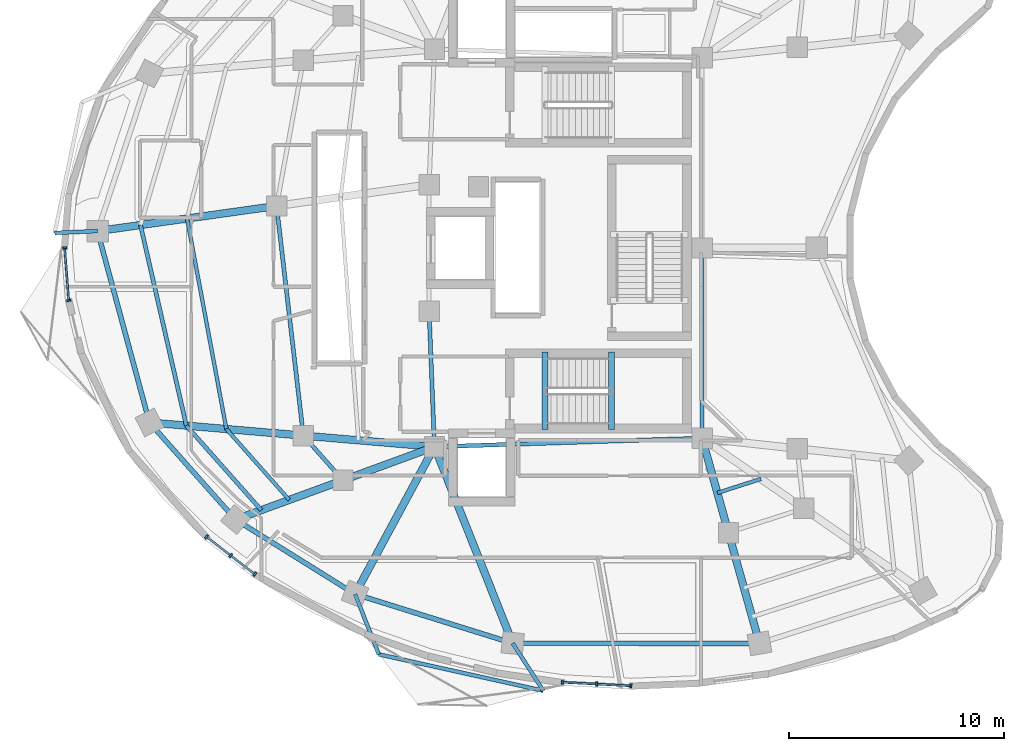
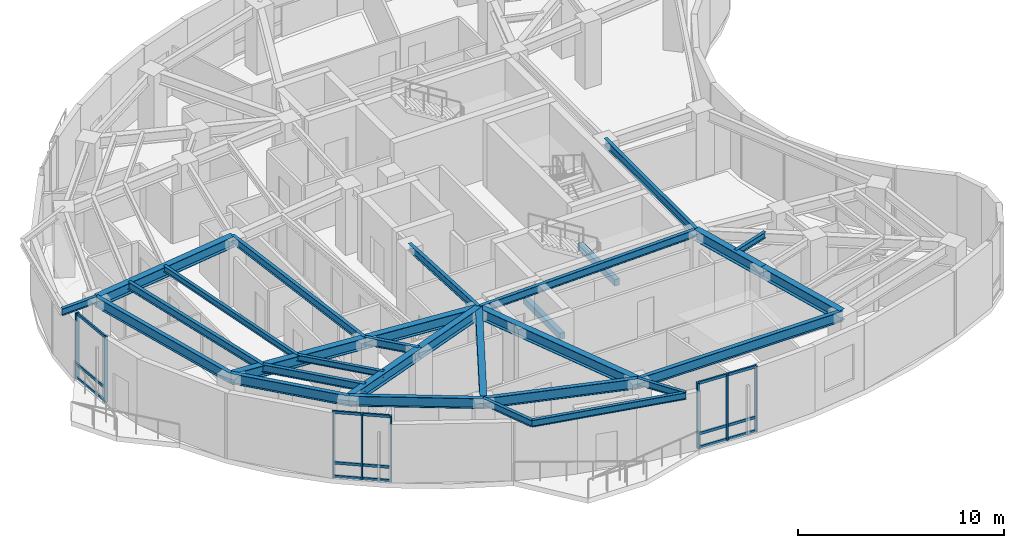
# One storey, part 2 of 13: 30 beams, 23 members, 3 elements without a shape of their own.
"""IFC4 building model written with IfcOpenShell, lengths in metres."""

from ifc_helpers import new_model, si_unit, direction, frame, origin, origin_2d, place, context, subcontext, project, spatial, rectangle, i_section, extrude, material, layer, layer_set, material_profile, profile_set, type_object, element, aggregate, save


model = new_model("IFC4")

# Units and contexts
model_context = context("Model", 3, precision=1e-05, world=origin(), true_north=direction((0.0, 1.0)))
body_context = subcontext(model_context, "Body", "Model", "MODEL_VIEW")
ifc_project = project(units=[si_unit("LENGTHUNIT", "METRE"), si_unit("AREAUNIT", "SQUARE_METRE"), si_unit("VOLUMEUNIT", "CUBIC_METRE"), si_unit("PLANEANGLEUNIT", "RADIAN"), si_unit("MASSUNIT", "GRAM", prefix="KILO")], contexts=[model_context])

# Site, building, storey
site_placement = place(None, origin())
site = spatial("IfcSite", under=ifc_project, at=site_placement, CompositionType="ELEMENT")
building_placement = place(site_placement, origin())
building = spatial("IfcBuilding", under=site, at=building_placement, Name="Korentha Bioscience Tower", CompositionType="ELEMENT")
storey_placement = place(building_placement, frame((0.0, 0.0, 158.39990234375)))
storey = spatial("IfcBuildingStorey", under=building, at=storey_placement, Name="L36", CompositionType="ELEMENT", Elevation=158.39990234375)

# Beams
ifc_material_1 = material(Name="Concrete C50", Category="concrete")
ifc_material_profile_1 = material_profile(ifc_material_1, rectangle(XDim=0.280029296875, YDim=0.3798828125, at=origin_2d()), Name="Concrete C50")
ifc_profile_set_1 = profile_set([ifc_material_profile_1], Name="Concrete C50 (ST-HB380)")
beam_type_1 = type_object("IfcBeamType", Name="Concrete Stair Header Beam RC 280x380", PredefinedType="BEAM", material=ifc_profile_set_1)
for number, where, z_axis, x_axis, name in (
    (1, (30.25, 18.550048828125, -0.18994140625), (0.0, 1.0, 0.0), (-1.0, 0.0, 0.0), "L36 ST-2 Concrete Stair Header Beam"),
    (2, (33.330078125, 18.550048828125, 1.91015625), (0.0, 1.0, 0.0), (-1.0, 0.0, 0.0), "L36 ST-2 Half-Landing Header Beam 1"),
):
    element("IfcBeam", number, at=place(storey_placement, frame(where, z_axis=z_axis, x_axis=x_axis)), inside=storey, type_object=beam_type_1, Name=name, PredefinedType="BEAM", context=body_context, shape_type="SweptSolid", body=[
        extrude(rectangle(XDim=0.280029296875, YDim=0.3798828125, at=origin_2d()), origin(), (0.0, 0.0, 1.0), 3.599853515625),
    ])
ifc_material_2 = material(Name="Steel S355", Category="steel")
ifc_material_profile_2 = material_profile(ifc_material_2, i_section(OverallWidth=0.18994140625, OverallDepth=0.45703125, WebThickness=0.009033203125, FlangeThickness=0.014404296875, at=origin_2d()), Name="Steel S355")
ifc_profile_set_2 = profile_set([ifc_material_profile_2], Name="Steel S355 (MB-460)")
beam_type_2 = type_object("IfcBeamType", Name="Mid-Ring Tie Girder W460x74", PredefinedType="BEAM", material=ifc_profile_set_2)
beam_1_placement = place(storey_placement, frame((17.75341796875, 28.95458984375, 3.671630859375), z_axis=(0.115840395246, -0.993267840428, 0.0), x_axis=(0.993267840428, 0.115840395246, 0.0)))
element("IfcBeam", 3, at=beam_1_placement, inside=storey, type_object=beam_type_2, Name="L36 Mid-Ring Tie Girder 07", PredefinedType="BEAM", context=body_context, shape_type="SweptSolid", body=[
    extrude(i_section(OverallWidth=0.18994140625, OverallDepth=0.45703125, WebThickness=0.009033203125, FlangeThickness=0.014404296875, at=origin_2d()), origin(), (0.0, 0.0, 1.0), 10.757080078125),
])
beam_2_placement = place(storey_placement, frame((18.99951171875, 18.27001953125, 3.671630859375), z_axis=(0.663512238321, -0.748165429299, 0.0), x_axis=(0.748165429299, 0.663512238321, 0.0)))
element("IfcBeam", 4, at=beam_2_placement, inside=storey, type_object=beam_type_2, Name="L36 Mid-Ring Tie Girder 08", PredefinedType="BEAM", context=body_context, shape_type="SweptSolid", body=[
    extrude(i_section(OverallWidth=0.18994140625, OverallDepth=0.45703125, WebThickness=0.009033203125, FlangeThickness=0.014404296875, at=origin_2d()), origin(), (0.0, 0.0, 1.0), 2.77734375),
])
beam_3_placement = place(storey_placement, frame((24.85009765625, 24.050048828125, 3.671630859375), z_axis=(0.039651025576, -0.999213588864, 0.0), x_axis=(0.999213588864, 0.039651025576, 0.0)))
element("IfcBeam", 5, at=beam_3_placement, inside=storey, type_object=beam_type_2, Name="L36 Core Ring Tie Girder 04", PredefinedType="BEAM", context=body_context, shape_type="SweptSolid", body=[
    extrude(i_section(OverallWidth=0.18994140625, OverallDepth=0.45703125, WebThickness=0.009033203125, FlangeThickness=0.014404296875, at=origin_2d()), origin(), (0.0, 0.0, 1.0), 6.304931640625),
])
beam_4_placement = place(storey_placement, frame((25.10009765625, 17.75, 3.671630859375), z_axis=(0.999484526071, 0.032104238723, 0.0), x_axis=(-0.032104238723, 0.999484526071, 0.0)))
element("IfcBeam", 6, at=beam_4_placement, inside=storey, type_object=beam_type_2, Name="L36 Core Ring Tie Girder 05", PredefinedType="BEAM", context=body_context, shape_type="SweptSolid", body=[
    extrude(i_section(OverallWidth=0.18994140625, OverallDepth=0.45703125, WebThickness=0.009033203125, FlangeThickness=0.014404296875, at=origin_2d()), origin(), (0.0, 0.0, 1.0), 12.456298828125),
])
beam_5_placement = place(storey_placement, frame((37.550048828125, 18.14990234375, 3.671630859375), z_axis=(0.0, 1.0, 0.0), x_axis=(-1.0, 0.0, 0.0)))
element("IfcBeam", 7, at=beam_5_placement, inside=storey, type_object=beam_type_2, Name="L36 Core Ring Tie Girder 06", PredefinedType="BEAM", context=body_context, shape_type="SweptSolid", body=[
    extrude(i_section(OverallWidth=0.18994140625, OverallDepth=0.45703125, WebThickness=0.009033203125, FlangeThickness=0.014404296875, at=origin_2d()), origin(), (0.0, 0.0, 1.0), 8.85009765625),
])

# Curtain wall, members
ifc_material_3 = material(Name="Thermally Broken Aluminium Frame", Category="aluminium")
ifc_layer = layer(ifc_material_3, 0.219970703125, Name="Thermally Broken Aluminium Frame")
ifc_layer_set = layer_set([ifc_layer], Name="Thermally Broken Aluminium Frame (CW-T1)")
curtain_wall_type = type_object("IfcCurtainWallType", Name="Standard Bioscience Lab Unitised Curtain Wall CW-T1", PredefinedType="USERDEFINED", material=ifc_layer_set)
curtain_wall_1_placement = place(storey_placement, origin())
curtain_wall_1 = element("IfcCurtainWall", 8, at=curtain_wall_1_placement, inside=storey, type_object=curtain_wall_type, Name="L36 Curtain Wall 19", ObjectType="UNITISED", PredefinedType="USERDEFINED")
ifc_material_4 = material(Name="Anodised Aluminium 6063-T6", Category="aluminium")
ifc_material_profile_3 = material_profile(ifc_material_4, rectangle(XDim=0.090087890625, YDim=0.199951171875, at=origin_2d()), Name="Anodised Aluminium 6063-T6")
ifc_profile_set_3 = profile_set([ifc_material_profile_3], Name="Anodised Aluminium 6063-T6 (CW-MUL)")
member_type_1 = type_object("IfcMemberType", Name="Mullion RECT 90x200", PredefinedType="MULLION", material=ifc_profile_set_3)
member_1_placement = place(storey_placement, frame((7.89599609375, 27.007568359375, 0.0), z_axis=(0.0, 0.0, 1.0), x_axis=(0.078030772566, -0.996950950916, 0.0)))
member_1 = element("IfcMember", 9, at=member_1_placement, type_object=member_type_1, Name="CW-L36-19 Mullion 1", PredefinedType="MULLION", context=body_context, shape_type="SweptSolid", body=[
    extrude(rectangle(XDim=0.090087890625, YDim=0.199951171875, at=origin_2d()), origin(), (0.0, 0.0, 1.0), 3.900146484375),
])
member_2_placement = place(storey_placement, frame((8.087890625, 24.5546875, 0.0), z_axis=(0.0, 0.0, 1.0), x_axis=(0.078030772566, -0.996950950916, 0.0)))
member_2 = element("IfcMember", 10, at=member_2_placement, type_object=member_type_1, Name="CW-L36-19 Mullion 2", PredefinedType="MULLION", context=body_context, shape_type="SweptSolid", body=[
    extrude(rectangle(XDim=0.090087890625, YDim=0.199951171875, at=origin_2d()), origin(), (0.0, 0.0, 1.0), 3.900146484375),
])

curtain_wall_2_placement = place(storey_placement, origin())
curtain_wall_2 = element("IfcCurtainWall", 11, at=curtain_wall_2_placement, inside=storey, type_object=curtain_wall_type, Name="L36 Curtain Wall 25", ObjectType="UNITISED", PredefinedType="USERDEFINED")
member_3_placement = place(storey_placement, frame((14.492431640625, 13.563232421875, 0.0), z_axis=(0.0, 0.0, 1.0), x_axis=(0.790546796919, -0.612401634454, 0.0)))
member_3 = element("IfcMember", 12, at=member_3_placement, type_object=member_type_1, Name="CW-L36-25 Mullion 1", PredefinedType="MULLION", context=body_context, shape_type="SweptSolid", body=[
    extrude(rectangle(XDim=0.090087890625, YDim=0.199951171875, at=origin_2d()), origin(), (0.0, 0.0, 1.0), 3.900146484375),
])
member_4_placement = place(storey_placement, frame((15.618896484375, 12.690673828125, 0.0), z_axis=(0.0, 0.0, 1.0), x_axis=(0.790546796919, -0.612401634454, 0.0)))
member_4 = element("IfcMember", 13, at=member_4_placement, type_object=member_type_1, Name="CW-L36-25 Mullion 2", PredefinedType="MULLION", context=body_context, shape_type="SweptSolid", body=[
    extrude(rectangle(XDim=0.090087890625, YDim=0.199951171875, at=origin_2d()), origin(), (0.0, 0.0, 1.0), 3.900146484375),
])
member_5_placement = place(storey_placement, frame((16.745361328125, 11.818115234375, 0.0), z_axis=(0.0, 0.0, 1.0), x_axis=(0.790546796919, -0.612401634454, 0.0)))
member_5 = element("IfcMember", 14, at=member_5_placement, type_object=member_type_1, Name="CW-L36-25 Mullion 3", PredefinedType="MULLION", context=body_context, shape_type="SweptSolid", body=[
    extrude(rectangle(XDim=0.090087890625, YDim=0.199951171875, at=origin_2d()), origin(), (0.0, 0.0, 1.0), 3.900146484375),
])

curtain_wall_3_placement = place(storey_placement, origin())
curtain_wall_3 = element("IfcCurtainWall", 15, at=curtain_wall_3_placement, inside=storey, type_object=curtain_wall_type, Name="L36 Curtain Wall 31", ObjectType="UNITISED", PredefinedType="USERDEFINED")
member_6_placement = place(storey_placement, frame((31.0517578125, 6.79541015625, 0.0), z_axis=(0.0, 0.0, 1.0), x_axis=(0.998637677307, -0.052180355139, 0.0)))
member_6 = element("IfcMember", 16, at=member_6_placement, type_object=member_type_1, Name="CW-L36-31 Mullion 1", PredefinedType="MULLION", context=body_context, shape_type="SweptSolid", body=[
    extrude(rectangle(XDim=0.090087890625, YDim=0.199951171875, at=origin_2d()), origin(), (0.0, 0.0, 1.0), 3.900146484375),
])
member_7_placement = place(storey_placement, frame((32.64794921875, 6.7119140625, 0.0), z_axis=(0.0, 0.0, 1.0), x_axis=(0.998637677307, -0.052180355139, 0.0)))
member_7 = element("IfcMember", 17, at=member_7_placement, type_object=member_type_1, Name="CW-L36-31 Mullion 2", PredefinedType="MULLION", context=body_context, shape_type="SweptSolid", body=[
    extrude(rectangle(XDim=0.090087890625, YDim=0.199951171875, at=origin_2d()), origin(), (0.0, 0.0, 1.0), 3.900146484375),
])
member_8_placement = place(storey_placement, frame((34.244140625, 6.628662109375, 0.0), z_axis=(0.0, 0.0, 1.0), x_axis=(0.998637677307, -0.052180355139, 0.0)))
member_8 = element("IfcMember", 18, at=member_8_placement, type_object=member_type_1, Name="CW-L36-31 Mullion 3", PredefinedType="MULLION", context=body_context, shape_type="SweptSolid", body=[
    extrude(rectangle(XDim=0.090087890625, YDim=0.199951171875, at=origin_2d()), origin(), (0.0, 0.0, 1.0), 3.900146484375),
])

# Beams
ifc_material_profile_4 = material_profile(ifc_material_2, i_section(OverallWidth=0.22802734375, OverallDepth=0.60791015625, WebThickness=0.01123046875, FlangeThickness=0.017333984375, at=origin_2d()), Name="Steel S355")
ifc_profile_set_4 = profile_set([ifc_material_profile_4], Name="Steel S355 (SB-610)")
beam_type_3 = type_object("IfcBeamType", Name="Perimeter Ring Spandrel Girder W610x113", PredefinedType="SPANDREL", material=ifc_profile_set_4)
beam_6_placement = place(storey_placement, frame((9.422607421875, 27.785888671875, 3.59619140625), z_axis=(0.261762629829, -0.965132284003, 0.0), x_axis=(0.965132284003, 0.261762629829, 0.0)))
element("IfcBeam", 19, at=beam_6_placement, inside=storey, type_object=beam_type_3, Name="L36 Perimeter Spandrel Girder 07", PredefinedType="SPANDREL", context=body_context, shape_type="SweptSolid", body=[
    extrude(i_section(OverallWidth=0.22802734375, OverallDepth=0.60791015625, WebThickness=0.01123046875, FlangeThickness=0.017333984375, at=origin_2d()), origin(), (0.0, 0.0, 1.0), 9.22705078125),
])
beam_7_placement = place(storey_placement, frame((11.837890625, 18.880615234375, 3.59619140625), z_axis=(0.663502544942, -0.748174025782, 0.0), x_axis=(0.748174025782, 0.663502544942, 0.0)))
element("IfcBeam", 20, at=beam_7_placement, inside=storey, type_object=beam_type_3, Name="L36 Perimeter Spandrel Girder 08", PredefinedType="SPANDREL", context=body_context, shape_type="SweptSolid", body=[
    extrude(i_section(OverallWidth=0.22802734375, OverallDepth=0.60791015625, WebThickness=0.01123046875, FlangeThickness=0.017333984375, at=origin_2d()), origin(), (0.0, 0.0, 1.0), 6.037841796875),
])
beam_8_placement = place(storey_placement, frame((15.843994140625, 14.36328125, 3.59619140625), z_axis=(0.848675740059, -0.528913497876, 0.0), x_axis=(0.528913497876, 0.848675740059, 0.0)))
element("IfcBeam", 21, at=beam_8_placement, inside=storey, type_object=beam_type_3, Name="L36 Perimeter Spandrel Girder 09", PredefinedType="SPANDREL", context=body_context, shape_type="SweptSolid", body=[
    extrude(i_section(OverallWidth=0.22802734375, OverallDepth=0.60791015625, WebThickness=0.01123046875, FlangeThickness=0.017333984375, at=origin_2d()), origin(), (0.0, 0.0, 1.0), 6.55322265625),
])
beam_9_placement = place(storey_placement, frame((21.405517578125, 10.897216796875, 3.59619140625), z_axis=(0.954638172607, -0.29776829818, 0.0), x_axis=(0.29776829818, 0.954638172607, 0.0)))
element("IfcBeam", 22, at=beam_9_placement, inside=storey, type_object=beam_type_3, Name="L36 Perimeter Spandrel Girder 10", PredefinedType="SPANDREL", context=body_context, shape_type="SweptSolid", body=[
    extrude(i_section(OverallWidth=0.22802734375, OverallDepth=0.60791015625, WebThickness=0.01123046875, FlangeThickness=0.017333984375, at=origin_2d()), origin(), (0.0, 0.0, 1.0), 7.682373046875),
])
beam_10_placement = place(storey_placement, frame((28.739501953125, 8.609619140625, 3.59619140625), z_axis=(0.99999988041, -0.000489059883, 0.0), x_axis=(0.000489059883, 0.99999988041, 0.0)))
element("IfcBeam", 23, at=beam_10_placement, inside=storey, type_object=beam_type_3, Name="L36 Perimeter Spandrel Girder 11", PredefinedType="SPANDREL", context=body_context, shape_type="SweptSolid", body=[
    extrude(i_section(OverallWidth=0.22802734375, OverallDepth=0.60791015625, WebThickness=0.01123046875, FlangeThickness=0.017333984375, at=origin_2d()), origin(), (0.0, 0.0, 1.0), 11.481689453125),
])
ifc_material_profile_5 = material_profile(ifc_material_2, i_section(OverallWidth=0.18994140625, OverallDepth=0.45703125, WebThickness=0.009033203125, FlangeThickness=0.014404296875, at=origin_2d()), Name="Steel S355")
ifc_profile_set_5 = profile_set([ifc_material_profile_5], Name="Steel S355 (RB-460)")
beam_type_4 = type_object("IfcBeamType", Name="Radial Laboratory Beam W460x74", PredefinedType="BEAM", material=ifc_profile_set_5)
beam_11_placement = place(storey_placement, frame((11.421875, 28.06640625, 3.671630859375), z_axis=(0.222990987745, -0.974820506239, 0.0), x_axis=(0.974820506239, 0.222990987745, 0.0)))
element("IfcBeam", 24, at=beam_11_placement, inside=storey, type_object=beam_type_4, Name="L36 Secondary Floor Beam JSTO-07", PredefinedType="BEAM", context=body_context, shape_type="SweptSolid", body=[
    extrude(i_section(OverallWidth=0.18994140625, OverallDepth=0.45703125, WebThickness=0.009033203125, FlangeThickness=0.014404296875, at=origin_2d()), origin(), (0.0, 0.0, 1.0), 9.5732421875),
])
beam_12_placement = place(storey_placement, frame((13.556640625, 18.734130859375, 3.671630859375), z_axis=(0.663495511182, -0.748180263467, 0.0), x_axis=(0.748180263467, 0.663495511182, 0.0)))
element("IfcBeam", 25, at=beam_12_placement, inside=storey, type_object=beam_type_4, Name="L36 Secondary Floor Beam JSTO-08", PredefinedType="BEAM", context=body_context, shape_type="SweptSolid", body=[
    extrude(i_section(OverallWidth=0.18994140625, OverallDepth=0.45703125, WebThickness=0.009033203125, FlangeThickness=0.014404296875, at=origin_2d()), origin(), (0.0, 0.0, 1.0), 5.255615234375),
])
ifc_material_profile_6 = material_profile(ifc_material_2, i_section(OverallWidth=0.35009765625, OverallDepth=0.64990234375, WebThickness=0.01611328125, FlangeThickness=0.02490234375, at=origin_2d()), Name="Steel S355")
ifc_profile_set_6 = profile_set([ifc_material_profile_6], Name="Steel S355 (RB-650)")
beam_type_5 = type_object("IfcBeamType", Name="Radial Laboratory Girder CVS 650x208", PredefinedType="BEAM", material=ifc_profile_set_6)
beam_13_placement = place(storey_placement, frame((17.75341796875, 28.95458984375, 3.5751953125), z_axis=(-0.990302735089, -0.138926213782, 0.0), x_axis=(0.138926213782, -0.990302735089, 0.0)))
element("IfcBeam", 26, at=beam_13_placement, inside=storey, type_object=beam_type_5, Name="L36 Outer Radial Girder 07", PredefinedType="BEAM", context=body_context, shape_type="SweptSolid", body=[
    extrude(i_section(OverallWidth=0.35009765625, OverallDepth=0.64990234375, WebThickness=0.01611328125, FlangeThickness=0.02490234375, at=origin_2d()), origin(), (0.0, 0.0, 1.0), 8.412353515625),
])
beam_14_placement = place(storey_placement, frame((25.10009765625, 17.75, 3.5751953125), z_axis=(-0.996386672138, 0.084932912264, 0.0), x_axis=(-0.084932912264, -0.996386672138, 0.0)))
element("IfcBeam", 27, at=beam_14_placement, inside=storey, type_object=beam_type_5, Name="L36 Inner Radial Girder 08", PredefinedType="BEAM", context=body_context, shape_type="SweptSolid", body=[
    extrude(i_section(OverallWidth=0.35009765625, OverallDepth=0.64990234375, WebThickness=0.01611328125, FlangeThickness=0.02490234375, at=origin_2d()), origin(), (0.0, 0.0, 1.0), 6.122802734375),
])
beam_15_placement = place(storey_placement, frame((18.99951171875, 18.27001953125, 3.5751953125), z_axis=(-0.996385111181, 0.084951222577, 0.0), x_axis=(-0.084951222577, -0.996385111181, 0.0)))
element("IfcBeam", 28, at=beam_15_placement, inside=storey, type_object=beam_type_5, Name="L36 Outer Radial Girder 08", PredefinedType="BEAM", context=body_context, shape_type="SweptSolid", body=[
    extrude(i_section(OverallWidth=0.35009765625, OverallDepth=0.64990234375, WebThickness=0.01611328125, FlangeThickness=0.02490234375, at=origin_2d()), origin(), (0.0, 0.0, 1.0), 7.1875),
])
beam_16_placement = place(storey_placement, frame((25.10009765625, 17.75, 3.5751953125), z_axis=(-0.939113952431, -0.343605856105, 0.0), x_axis=(0.343605856105, -0.939113952431, 0.0)))
element("IfcBeam", 29, at=beam_16_placement, inside=storey, type_object=beam_type_5, Name="L36 Inner Radial Girder 09", PredefinedType="BEAM", context=body_context, shape_type="SweptSolid", body=[
    extrude(i_section(OverallWidth=0.35009765625, OverallDepth=0.64990234375, WebThickness=0.01611328125, FlangeThickness=0.02490234375, at=origin_2d()), origin(), (0.0, 0.0, 1.0), 4.533935546875),
])
beam_17_placement = place(storey_placement, frame((20.84228515625, 16.192138671875, 3.5751953125), z_axis=(-0.939109855566, -0.343617053097, 0.0), x_axis=(0.343617053097, -0.939109855566, 0.0)))
element("IfcBeam", 30, at=beam_17_placement, inside=storey, type_object=beam_type_5, Name="L36 Outer Radial Girder 09", PredefinedType="BEAM", context=body_context, shape_type="SweptSolid", body=[
    extrude(i_section(OverallWidth=0.35009765625, OverallDepth=0.64990234375, WebThickness=0.01611328125, FlangeThickness=0.02490234375, at=origin_2d()), origin(), (0.0, 0.0, 1.0), 5.322265625),
])
beam_18_placement = place(storey_placement, frame((25.10009765625, 17.75, 3.5751953125), z_axis=(-0.474559790141, -0.880223270302, 0.0), x_axis=(0.880223270302, -0.474559790141, 0.0)))
element("IfcBeam", 31, at=beam_18_placement, inside=storey, type_object=beam_type_5, Name="L36 Radial Girder 10", PredefinedType="BEAM", context=body_context, shape_type="SweptSolid", body=[
    extrude(i_section(OverallWidth=0.35009765625, OverallDepth=0.64990234375, WebThickness=0.01611328125, FlangeThickness=0.02490234375, at=origin_2d()), origin(), (0.0, 0.0, 1.0), 7.785400390625),
])
beam_19_placement = place(storey_placement, frame((25.10009765625, 17.75, 3.5751953125), z_axis=(0.369922682955, -0.929062542909, 0.0), x_axis=(0.929062542909, 0.369922682955, 0.0)))
element("IfcBeam", 32, at=beam_19_placement, inside=storey, type_object=beam_type_5, Name="L36 Radial Girder 11", PredefinedType="BEAM", context=body_context, shape_type="SweptSolid", body=[
    extrude(i_section(OverallWidth=0.35009765625, OverallDepth=0.64990234375, WebThickness=0.01611328125, FlangeThickness=0.02490234375, at=origin_2d()), origin(), (0.0, 0.0, 1.0), 9.83837890625),
])
beam_20_placement = place(storey_placement, frame((37.550048828125, 18.14990234375, 3.5751953125), z_axis=(0.269477001654, -0.963006825303, 0.0), x_axis=(0.963006825303, 0.269477001654, 0.0)))
element("IfcBeam", 33, at=beam_20_placement, inside=storey, type_object=beam_type_5, Name="L36 Inner Radial Girder 12", PredefinedType="BEAM", context=body_context, shape_type="SweptSolid", body=[
    extrude(i_section(OverallWidth=0.35009765625, OverallDepth=0.64990234375, WebThickness=0.01611328125, FlangeThickness=0.02490234375, at=origin_2d()), origin(), (0.0, 0.0, 1.0), 4.559814453125),
])
beam_21_placement = place(storey_placement, frame((38.77880859375, 13.7587890625, 3.5751953125), z_axis=(0.269464128344, -0.963010427532, 0.0), x_axis=(0.963010427532, 0.269464128344, 0.0)))
element("IfcBeam", 34, at=beam_21_placement, inside=storey, type_object=beam_type_5, Name="L36 Outer Radial Girder 12", PredefinedType="BEAM", context=body_context, shape_type="SweptSolid", body=[
    extrude(i_section(OverallWidth=0.35009765625, OverallDepth=0.64990234375, WebThickness=0.01611328125, FlangeThickness=0.02490234375, at=origin_2d()), origin(), (0.0, 0.0, 1.0), 5.352783203125),
])
ifc_material_profile_7 = material_profile(ifc_material_2, i_section(OverallWidth=0.1708984375, OverallDepth=0.35498046875, WebThickness=0.007080078125, FlangeThickness=0.01171875, at=origin_2d()), Name="Steel S355")
ifc_profile_set_7 = profile_set([ifc_material_profile_7], Name="Steel S355 (JB-360)")
beam_type_6 = type_object("IfcBeamType", Name="Secondary Laboratory Joist W360x51", PredefinedType="JOIST", material=ifc_profile_set_7)
beam_22_placement = place(storey_placement, frame((13.587890625, 28.3701171875, 3.72265625), z_axis=(0.183736713841, -0.982975493076, 0.0), x_axis=(0.982975493076, 0.183736713841, 0.0)))
element("IfcBeam", 35, at=beam_22_placement, inside=storey, type_object=beam_type_6, Name="L36 Secondary Floor Beam JST-07", PredefinedType="JOIST", context=body_context, shape_type="SweptSolid", body=[
    extrude(i_section(OverallWidth=0.1708984375, OverallDepth=0.35498046875, WebThickness=0.007080078125, FlangeThickness=0.01171875, at=origin_2d()), origin(), (0.0, 0.0, 1.0), 9.96435546875),
])
beam_23_placement = place(storey_placement, frame((15.418701171875, 18.575439453125, 3.72265625), z_axis=(0.663462598754, -0.748209449322, 0.0), x_axis=(0.748209449322, 0.663462598754, 0.0)))
element("IfcBeam", 36, at=beam_23_placement, inside=storey, type_object=beam_type_6, Name="L36 Secondary Floor Beam JST-08", PredefinedType="JOIST", context=body_context, shape_type="SweptSolid", body=[
    extrude(i_section(OverallWidth=0.1708984375, OverallDepth=0.35498046875, WebThickness=0.007080078125, FlangeThickness=0.01171875, at=origin_2d()), origin(), (0.0, 0.0, 1.0), 4.40771484375),
])
beam_24_placement = place(storey_placement, frame((38.2626953125, 15.60302734375, 3.72265625), z_axis=(0.952010669267, 0.306064838885, 0.0), x_axis=(-0.306064838885, 0.952010669267, 0.0)))
element("IfcBeam", 37, at=beam_24_placement, inside=storey, type_object=beam_type_6, Name="L36 Inner Bay Joist 12", PredefinedType="JOIST", context=body_context, shape_type="SweptSolid", body=[
    extrude(i_section(OverallWidth=0.1708984375, OverallDepth=0.35498046875, WebThickness=0.007080078125, FlangeThickness=0.01171875, at=origin_2d()), origin(), (0.0, 0.0, 1.0), 2.1298828125),
])
ifc_material_profile_8 = material_profile(ifc_material_2, i_section(OverallWidth=0.177978515625, OverallDepth=0.406982421875, WebThickness=0.0078125, FlangeThickness=0.0126953125, at=origin_2d()), Name="Steel S355")
ifc_profile_set_8 = profile_set([ifc_material_profile_8], Name="Steel S355 (CB-410)")
beam_type_7 = type_object("IfcBeamType", Name="Sun-Ledge Cantilever Beam W410x60", PredefinedType="BEAM", material=ifc_profile_set_8)
beam_25_placement = place(storey_placement, frame((9.422607421875, 27.785888671875, 3.698486328125), z_axis=(-0.999054077137, -0.043485065888, 0.0), x_axis=(0.043485065888, -0.999054077137, 0.0)))
element("IfcBeam", 38, at=beam_25_placement, inside=storey, type_object=beam_type_7, Name="L36 Balcony Cantilever Bracket B-L37-02", PredefinedType="BEAM", context=body_context, shape_type="SweptSolid", body=[
    extrude(i_section(OverallWidth=0.177978515625, OverallDepth=0.406982421875, WebThickness=0.0078125, FlangeThickness=0.0126953125, at=origin_2d()), origin(), (0.0, 0.0, 1.0), 1.9931640625),
])
beam_26_placement = place(storey_placement, frame((21.405517578125, 10.897216796875, 3.698486328125), z_axis=(0.366329003488, -0.930485390107, 0.0), x_axis=(0.930485390107, 0.366329003488, 0.0)))
element("IfcBeam", 39, at=beam_26_placement, inside=storey, type_object=beam_type_7, Name="L36 Balcony Cantilever Bracket A-L37-03", PredefinedType="BEAM", context=body_context, shape_type="SweptSolid", body=[
    extrude(i_section(OverallWidth=0.177978515625, OverallDepth=0.406982421875, WebThickness=0.0078125, FlangeThickness=0.0126953125, at=origin_2d()), origin(), (0.0, 0.0, 1.0), 3.013671875),
])
beam_27_placement = place(storey_placement, frame((28.739501953125, 8.609619140625, 3.698486328125), z_axis=(0.541648853106, -0.84060485362, 0.0), x_axis=(0.84060485362, 0.541648853106, 0.0)))
element("IfcBeam", 40, at=beam_27_placement, inside=storey, type_object=beam_type_7, Name="L36 Balcony Cantilever Bracket B-L37-03", PredefinedType="BEAM", context=body_context, shape_type="SweptSolid", body=[
    extrude(i_section(OverallWidth=0.177978515625, OverallDepth=0.406982421875, WebThickness=0.0078125, FlangeThickness=0.0126953125, at=origin_2d()), origin(), (0.0, 0.0, 1.0), 2.629638671875),
])
beam_28_placement = place(storey_placement, frame((22.509521484375, 8.093017578125, 3.698486328125), z_axis=(0.976378662051, -0.21606644416, 0.0), x_axis=(0.21606644416, 0.976378662051, 0.0)))
element("IfcBeam", 41, at=beam_28_placement, inside=storey, type_object=beam_type_7, Name="L36 Balcony Edge Trimmer Beam L37-03", PredefinedType="BEAM", context=body_context, shape_type="SweptSolid", body=[
    extrude(i_section(OverallWidth=0.177978515625, OverallDepth=0.406982421875, WebThickness=0.0078125, FlangeThickness=0.0126953125, at=origin_2d()), origin(), (0.0, 0.0, 1.0), 7.83935546875),
])

# Member
ifc_material_profile_9 = material_profile(ifc_material_4, rectangle(XDim=0.090087890625, YDim=0.159912109375, at=origin_2d()), Name="Anodised Aluminium 6063-T6")
ifc_profile_set_9 = profile_set([ifc_material_profile_9], Name="Anodised Aluminium 6063-T6 (CW-TRN)")
member_type_2 = type_object("IfcMemberType", Name="Transom RECT 90x160", PredefinedType="USERDEFINED", material=ifc_profile_set_9)
member_9_placement = place(storey_placement, frame((7.8994140625, 26.962646484375, 0.045166015625), z_axis=(0.078074822466, -0.996947502177, 0.0), x_axis=(0.996947502177, 0.078074822466, 0.0)))
member_9 = element("IfcMember", 42, at=member_9_placement, type_object=member_type_2, Name="CW-L36-19 Bay 1 Transom 1", ObjectType="TRANSOM", PredefinedType="USERDEFINED", context=body_context, shape_type="SweptSolid", body=[
    extrude(rectangle(XDim=0.090087890625, YDim=0.159912109375, at=origin_2d()), origin(), (0.0, 0.0, 1.0), 2.370361328125),
])

member_10_placement = place(storey_placement, frame((7.8994140625, 26.962646484375, 0.85009765625), z_axis=(0.078074822466, -0.996947502177, 0.0), x_axis=(0.996947502177, 0.078074822466, 0.0)))
member_10 = element("IfcMember", 43, at=member_10_placement, type_object=member_type_2, Name="CW-L36-19 Bay 1 Transom 2", ObjectType="TRANSOM", PredefinedType="USERDEFINED", context=body_context, shape_type="SweptSolid", body=[
    extrude(rectangle(XDim=0.090087890625, YDim=0.159912109375, at=origin_2d()), origin(), (0.0, 0.0, 1.0), 2.370361328125),
])

member_11_placement = place(storey_placement, frame((7.8994140625, 26.962646484375, 3.85498046875), z_axis=(0.078074822466, -0.996947502177, 0.0), x_axis=(0.996947502177, 0.078074822466, 0.0)))
member_11 = element("IfcMember", 44, at=member_11_placement, type_object=member_type_2, Name="CW-L36-19 Bay 1 Transom 3", ObjectType="TRANSOM", PredefinedType="USERDEFINED", context=body_context, shape_type="SweptSolid", body=[
    extrude(rectangle(XDim=0.090087890625, YDim=0.159912109375, at=origin_2d()), origin(), (0.0, 0.0, 1.0), 2.370361328125),
])

aggregate(curtain_wall_1, [member_1, member_2, member_9, member_10, member_11])

member_12_placement = place(storey_placement, frame((14.528076171875, 13.535888671875, 0.045166015625), z_axis=(0.790463754503, -0.612508818563, 0.0), x_axis=(0.612508818563, 0.790463754503, 0.0)))
member_12 = element("IfcMember", 45, at=member_12_placement, type_object=member_type_2, Name="CW-L36-25 Bay 1 Transom 1", ObjectType="TRANSOM", PredefinedType="USERDEFINED", context=body_context, shape_type="SweptSolid", body=[
    extrude(rectangle(XDim=0.090087890625, YDim=0.159912109375, at=origin_2d()), origin(), (0.0, 0.0, 1.0), 1.3349609375),
])

member_13_placement = place(storey_placement, frame((14.528076171875, 13.535888671875, 0.85009765625), z_axis=(0.790463754503, -0.612508818563, 0.0), x_axis=(0.612508818563, 0.790463754503, 0.0)))
member_13 = element("IfcMember", 46, at=member_13_placement, type_object=member_type_2, Name="CW-L36-25 Bay 1 Transom 2", ObjectType="TRANSOM", PredefinedType="USERDEFINED", context=body_context, shape_type="SweptSolid", body=[
    extrude(rectangle(XDim=0.090087890625, YDim=0.159912109375, at=origin_2d()), origin(), (0.0, 0.0, 1.0), 1.3349609375),
])

member_14_placement = place(storey_placement, frame((14.528076171875, 13.535888671875, 3.85498046875), z_axis=(0.790463754503, -0.612508818563, 0.0), x_axis=(0.612508818563, 0.790463754503, 0.0)))
member_14 = element("IfcMember", 47, at=member_14_placement, type_object=member_type_2, Name="CW-L36-25 Bay 1 Transom 3", ObjectType="TRANSOM", PredefinedType="USERDEFINED", context=body_context, shape_type="SweptSolid", body=[
    extrude(rectangle(XDim=0.090087890625, YDim=0.159912109375, at=origin_2d()), origin(), (0.0, 0.0, 1.0), 1.3349609375),
])

member_15_placement = place(storey_placement, frame((15.654541015625, 12.6630859375, 0.045166015625), z_axis=(0.79055230676, -0.612394521756, 0.0), x_axis=(0.612394521756, 0.79055230676, 0.0)))
member_15 = element("IfcMember", 48, at=member_15_placement, type_object=member_type_2, Name="CW-L36-25 Bay 2 Transom 1", ObjectType="TRANSOM", PredefinedType="USERDEFINED", context=body_context, shape_type="SweptSolid", body=[
    extrude(rectangle(XDim=0.090087890625, YDim=0.159912109375, at=origin_2d()), origin(), (0.0, 0.0, 1.0), 1.334716796875),
])

member_16_placement = place(storey_placement, frame((15.654541015625, 12.6630859375, 0.85009765625), z_axis=(0.79055230676, -0.612394521756, 0.0), x_axis=(0.612394521756, 0.79055230676, 0.0)))
member_16 = element("IfcMember", 49, at=member_16_placement, type_object=member_type_2, Name="CW-L36-25 Bay 2 Transom 2", ObjectType="TRANSOM", PredefinedType="USERDEFINED", context=body_context, shape_type="SweptSolid", body=[
    extrude(rectangle(XDim=0.090087890625, YDim=0.159912109375, at=origin_2d()), origin(), (0.0, 0.0, 1.0), 1.334716796875),
])

member_17_placement = place(storey_placement, frame((15.654541015625, 12.6630859375, 3.85498046875), z_axis=(0.79055230676, -0.612394521756, 0.0), x_axis=(0.612394521756, 0.79055230676, 0.0)))
member_17 = element("IfcMember", 50, at=member_17_placement, type_object=member_type_2, Name="CW-L36-25 Bay 2 Transom 3", ObjectType="TRANSOM", PredefinedType="USERDEFINED", context=body_context, shape_type="SweptSolid", body=[
    extrude(rectangle(XDim=0.090087890625, YDim=0.159912109375, at=origin_2d()), origin(), (0.0, 0.0, 1.0), 1.334716796875),
])

aggregate(curtain_wall_2, [member_3, member_4, member_5, member_12, member_13, member_14, member_15, member_16, member_17])

member_18_placement = place(storey_placement, frame((31.0966796875, 6.793212890625, 0.045166015625), z_axis=(0.998632544532, -0.052278494633, 0.0), x_axis=(0.052278494633, 0.998632544532, 0.0)))
member_18 = element("IfcMember", 51, at=member_18_placement, type_object=member_type_2, Name="CW-L36-31 Bay 1 Transom 1", ObjectType="TRANSOM", PredefinedType="USERDEFINED", context=body_context, shape_type="SweptSolid", body=[
    extrude(rectangle(XDim=0.090087890625, YDim=0.159912109375, at=origin_2d()), origin(), (0.0, 0.0, 1.0), 1.50830078125),
])

member_19_placement = place(storey_placement, frame((31.0966796875, 6.793212890625, 0.85009765625), z_axis=(0.998632544532, -0.052278494633, 0.0), x_axis=(0.052278494633, 0.998632544532, 0.0)))
member_19 = element("IfcMember", 52, at=member_19_placement, type_object=member_type_2, Name="CW-L36-31 Bay 1 Transom 2", ObjectType="TRANSOM", PredefinedType="USERDEFINED", context=body_context, shape_type="SweptSolid", body=[
    extrude(rectangle(XDim=0.090087890625, YDim=0.159912109375, at=origin_2d()), origin(), (0.0, 0.0, 1.0), 1.50830078125),
])

member_20_placement = place(storey_placement, frame((31.0966796875, 6.793212890625, 3.85498046875), z_axis=(0.998632544532, -0.052278494633, 0.0), x_axis=(0.052278494633, 0.998632544532, 0.0)))
member_20 = element("IfcMember", 53, at=member_20_placement, type_object=member_type_2, Name="CW-L36-31 Bay 1 Transom 3", ObjectType="TRANSOM", PredefinedType="USERDEFINED", context=body_context, shape_type="SweptSolid", body=[
    extrude(rectangle(XDim=0.090087890625, YDim=0.159912109375, at=origin_2d()), origin(), (0.0, 0.0, 1.0), 1.50830078125),
])

member_21_placement = place(storey_placement, frame((32.69287109375, 6.709716796875, 0.045166015625), z_axis=(0.998640981416, -0.052117082012, 0.0), x_axis=(0.052117082012, 0.998640981416, 0.0)))
member_21 = element("IfcMember", 54, at=member_21_placement, type_object=member_type_2, Name="CW-L36-31 Bay 2 Transom 1", ObjectType="TRANSOM", PredefinedType="USERDEFINED", context=body_context, shape_type="SweptSolid", body=[
    extrude(rectangle(XDim=0.090087890625, YDim=0.159912109375, at=origin_2d()), origin(), (0.0, 0.0, 1.0), 1.50830078125),
])

member_22_placement = place(storey_placement, frame((32.69287109375, 6.709716796875, 0.85009765625), z_axis=(0.998640981416, -0.052117082012, 0.0), x_axis=(0.052117082012, 0.998640981416, 0.0)))
member_22 = element("IfcMember", 55, at=member_22_placement, type_object=member_type_2, Name="CW-L36-31 Bay 2 Transom 2", ObjectType="TRANSOM", PredefinedType="USERDEFINED", context=body_context, shape_type="SweptSolid", body=[
    extrude(rectangle(XDim=0.090087890625, YDim=0.159912109375, at=origin_2d()), origin(), (0.0, 0.0, 1.0), 1.50830078125),
])

member_23_placement = place(storey_placement, frame((32.69287109375, 6.709716796875, 3.85498046875), z_axis=(0.998640981416, -0.052117082012, 0.0), x_axis=(0.052117082012, 0.998640981416, 0.0)))
member_23 = element("IfcMember", 56, at=member_23_placement, type_object=member_type_2, Name="CW-L36-31 Bay 2 Transom 3", ObjectType="TRANSOM", PredefinedType="USERDEFINED", context=body_context, shape_type="SweptSolid", body=[
    extrude(rectangle(XDim=0.090087890625, YDim=0.159912109375, at=origin_2d()), origin(), (0.0, 0.0, 1.0), 1.50830078125),
])

aggregate(curtain_wall_3, [member_6, member_7, member_8, member_18, member_19, member_20, member_21, member_22, member_23])

save(model, "model.ifc")
